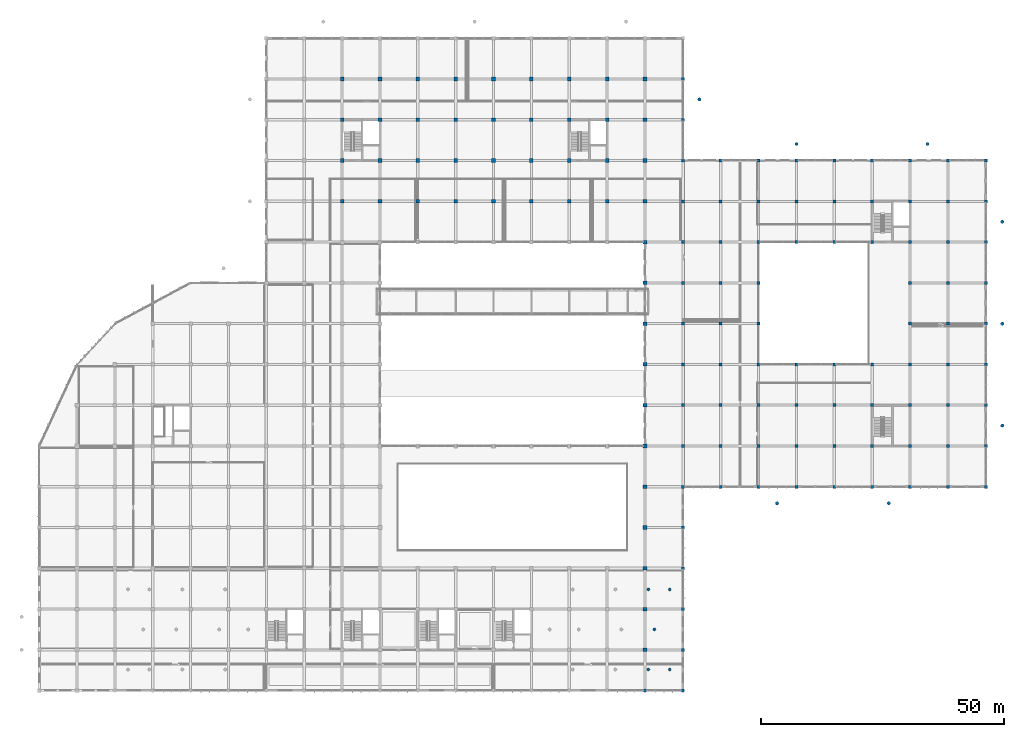
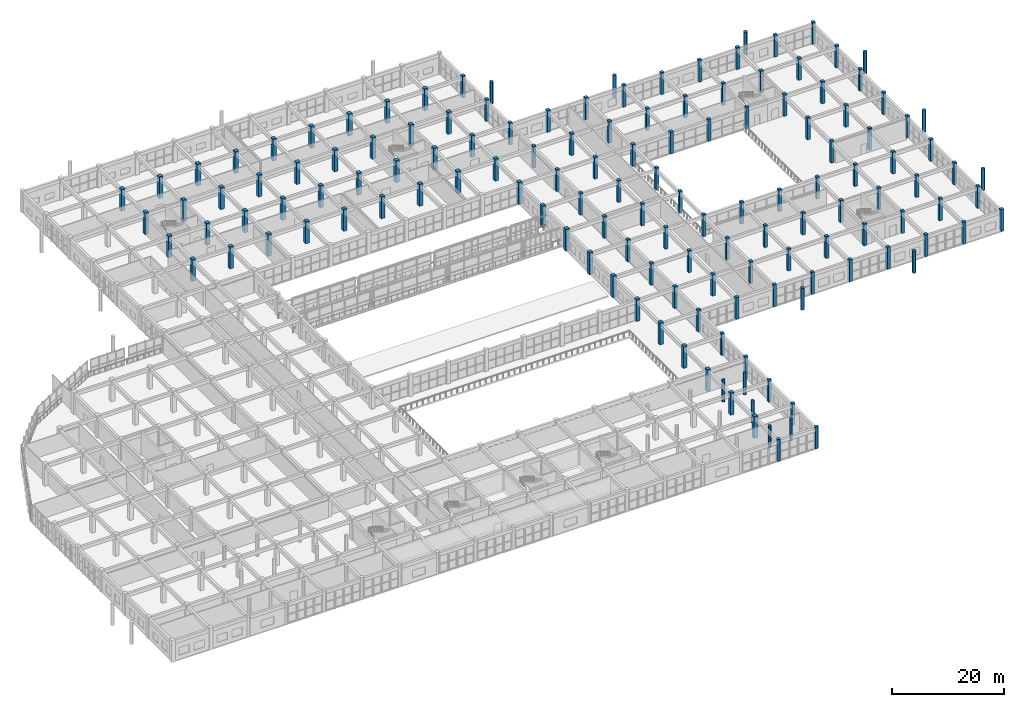
# One storey, part 4 of 167: 143 columns.
"""IFC4 building model written with IfcOpenShell, lengths in metres."""

from ifc_helpers import new_model, si_unit, direction, frame, origin, origin_2d, place, context, subcontext, project, spatial, rectangle, circle, extrude, material, material_profile, profile_set, type_object, element, save


model = new_model("IFC4")

# Units and contexts
model_context = context("Model", 3, precision=1e-05, world=origin(), true_north=direction((0.0, 1.0)))
body_context = subcontext(model_context, "Body", "Model", "MODEL_VIEW")
ifc_project = project(units=[si_unit("LENGTHUNIT", "METRE"), si_unit("AREAUNIT", "SQUARE_METRE"), si_unit("VOLUMEUNIT", "CUBIC_METRE"), si_unit("PLANEANGLEUNIT", "RADIAN"), si_unit("MASSUNIT", "GRAM", prefix="KILO")], contexts=[model_context])

# Site, building, storey
site_placement = place(None, origin())
site = spatial("IfcSite", under=ifc_project, at=site_placement, CompositionType="ELEMENT")
building_placement = place(site_placement, origin())
building = spatial("IfcBuilding", under=site, at=building_placement, Name="Zizhar Promenade General Hospital", CompositionType="ELEMENT")
storey_placement = place(building_placement, frame((0.0, 0.0, 9.60009765625)))
storey = spatial("IfcBuildingStorey", under=building, at=storey_placement, Name="L02", CompositionType="ELEMENT", Elevation=9.60009765625)

# Columns
ifc_material_1 = material(Name="Concrete C40/50", Category="concrete")
ifc_material_profile_1 = material_profile(ifc_material_1, circle(Radius=0.300048828125, at=origin_2d()))
ifc_profile_set_1 = profile_set([ifc_material_profile_1], Name="Concrete C40/50")
column_type_1 = type_object("IfcColumnType", Name="COL-CIRC-600", PredefinedType="PILASTER", material=ifc_profile_set_1)
for number, where, z_axis, x_axis, name in (
    (1, (129.89990234375, 4.35009765625, 0.0), (0.0, 0.0, 1.0), (1.0, 0.0, 0.0), "Ward Terrace Interior Support Column L06-E0 (L02)"),
    (2, (129.89990234375, 20.85009765625, 0.0), (0.0, 0.0, 1.0), (1.0, 0.0, 0.0), "Ward Terrace Interior Support Column L06-E1 (L02)"),
    (3, (126.75, 12.60009765625, 0.0), (0.0, 0.0, 1.0), (1.0, 0.0, 0.0), "Ward Terrace Interior Support Column L06-E2 (L02)"),
    (4, (125.5, 4.35009765625, 0.0), (0.0, 0.0, 1.0), (1.0, 0.0, 0.0), "Ward Terrace Interior Support Column L07-E0 (L02)"),
    (5, (125.5, 20.85009765625, 0.0), (0.0, 0.0, 1.0), (1.0, 0.0, 0.0), "Ward Terrace Interior Support Column L07-E1 (L02)"),
):
    element("IfcColumn", number, at=place(storey_placement, frame(where, z_axis=z_axis, x_axis=x_axis)), inside=storey, type_object=column_type_1, Name=name, PredefinedType="PILASTER", context=body_context, shape_type="SweptSolid", body=[
        extrude(circle(Radius=0.300048828125, at=origin_2d()), origin(), (0.0, 0.0, 1.0), 4.7998046875),
    ])
ifc_material_2 = material(Name="Concrete C40/50", Category="concrete")
ifc_material_profile_2 = material_profile(ifc_material_2, circle(Radius=0.35009765625, at=origin_2d()))
ifc_profile_set_2 = profile_set([ifc_material_profile_2], Name="Concrete C40/50")
column_type_2 = type_object("IfcColumnType", Name="COL-CIRC-700", PredefinedType="PILASTER", material=ifc_profile_set_2)
for number, where, z_axis, x_axis, name in (
    (6, (124.800048828125, 0.0, 0.0), (0.0, 0.0, 1.0), (1.0, 0.0, 0.0), "Column 17-A (L02)"),
    (7, (132.60009765625, 0.0, 0.0), (0.0, 0.0, 1.0), (1.0, 0.0, 0.0), "Column 18-A (L02)"),
    (8, (136.0, 121.800048828125, 0.0), (0.0, 0.0, 1.0), (1.0, 0.0, 0.0), "Base Roof Colonnade Column 09 (L02)"),
    (9, (156.0, 112.60009765625, 0.0), (0.0, 0.0, 1.0), (1.0, 0.0, 0.0), "Base Roof Colonnade Column 10 (L02)"),
    (10, (183.0, 112.60009765625, 0.0), (0.0, 0.0, 1.0), (1.0, 0.0, 0.0), "Base Roof Colonnade Column 11 (L02)"),
    (11, (198.39990234375, 96.60009765625, 0.0), (0.0, 0.0, 1.0), (1.0, 0.0, 0.0), "Base Roof Colonnade Column 12 (L02)"),
    (12, (198.39990234375, 75.60009765625, 0.0), (0.0, 0.0, 1.0), (1.0, 0.0, 0.0), "Base Roof Colonnade Column 13 (L02)"),
    (13, (198.39990234375, 54.60009765625, 0.0), (0.0, 0.0, 1.0), (1.0, 0.0, 0.0), "Base Roof Colonnade Column 14 (L02)"),
    (14, (175.0, 38.60009765625, 0.0), (0.0, 0.0, 1.0), (1.0, 0.0, 0.0), "Base Roof Colonnade Column 15 (L02)"),
    (15, (152.0, 38.60009765625, 0.0), (0.0, 0.0, 1.0), (1.0, 0.0, 0.0), "Base Roof Colonnade Column 16 (L02)"),
):
    element("IfcColumn", number, at=place(storey_placement, frame(where, z_axis=z_axis, x_axis=x_axis)), inside=storey, type_object=column_type_2, Name=name, PredefinedType="PILASTER", context=body_context, shape_type="SweptSolid", body=[
        extrude(circle(Radius=0.35009765625, at=origin_2d()), origin(), (0.0, 0.0, 1.0), 4.7998046875),
    ])
ifc_material_3 = material(Name="Concrete C40/50", Category="concrete")
ifc_material_profile_3 = material_profile(ifc_material_3, rectangle(XDim=0.6201171875, YDim=0.6201171875, at=origin_2d()))
ifc_profile_set_3 = profile_set([ifc_material_profile_3], Name="Concrete C40/50")
column_type_3 = type_object("IfcColumnType", Name="COL-RC-620", PredefinedType="COLUMN", material=ifc_profile_set_3)
for number, where, z_axis, x_axis, name in (
    (16, (132.60009765625, 8.39990234375, 0.0), (0.0, 0.0, 1.0), (1.0, 0.0, 0.0), "Column 18-B (L02)"),
    (17, (132.60009765625, 16.800048828125, 0.0), (0.0, 0.0, 1.0), (1.0, 0.0, 0.0), "Column 18-C (L02)"),
    (18, (132.60009765625, 25.199951171875, 0.0), (0.0, 0.0, 1.0), (1.0, 0.0, 0.0), "Column 18-D (L02)"),
    (19, (132.60009765625, 33.60009765625, 0.0), (0.0, 0.0, 1.0), (1.0, 0.0, 0.0), "Column 18-E (L02)"),
    (20, (132.60009765625, 42.0, 0.0), (0.0, 0.0, 1.0), (1.0, 0.0, 0.0), "Column 18-F (L02)"),
    (21, (132.60009765625, 50.39990234375, 0.0), (0.0, 0.0, 1.0), (1.0, 0.0, 0.0), "Column 18-G (L02)"),
    (22, (132.60009765625, 58.800048828125, 0.0), (0.0, 0.0, 1.0), (1.0, 0.0, 0.0), "Column 18-H (L02)"),
    (23, (132.60009765625, 67.199951171875, 0.0), (0.0, 0.0, 1.0), (1.0, 0.0, 0.0), "Column 18-J (L02)"),
    (24, (132.60009765625, 75.60009765625, 0.0), (0.0, 0.0, 1.0), (1.0, 0.0, 0.0), "Column 18-K (L02)"),
    (25, (132.60009765625, 84.0, 0.0), (0.0, 0.0, 1.0), (1.0, 0.0, 0.0), "Column 18-L (L02)"),
    (26, (132.60009765625, 92.39990234375, 0.0), (0.0, 0.0, 1.0), (1.0, 0.0, 0.0), "Column 18-M (L02)"),
    (27, (132.60009765625, 100.800048828125, 0.0), (0.0, 0.0, 1.0), (1.0, 0.0, 0.0), "Column 18-N (L02)"),
    (28, (132.60009765625, 109.199951171875, 0.0), (0.0, 0.0, 1.0), (1.0, 0.0, 0.0), "Column 18-P (L02)"),
    (29, (132.60009765625, 117.60009765625, 0.0), (0.0, 0.0, 1.0), (1.0, 0.0, 0.0), "Column 18-Q (L02)"),
    (30, (132.60009765625, 126.0, 0.0), (0.0, 0.0, 1.0), (1.0, 0.0, 0.0), "Column 18-R (L02)"),
    (31, (140.39990234375, 42.0, 0.0), (0.0, 0.0, 1.0), (1.0, 0.0, 0.0), "Column 19-F (L02)"),
    (32, (140.39990234375, 50.39990234375, 0.0), (0.0, 0.0, 1.0), (1.0, 0.0, 0.0), "Column 19-G (L02)"),
    (33, (140.39990234375, 58.800048828125, 0.0), (0.0, 0.0, 1.0), (1.0, 0.0, 0.0), "Column 19-H (L02)"),
    (34, (140.39990234375, 67.199951171875, 0.0), (0.0, 0.0, 1.0), (1.0, 0.0, 0.0), "Column 19-J (L02)"),
    (35, (140.39990234375, 75.60009765625, 0.0), (0.0, 0.0, 1.0), (1.0, 0.0, 0.0), "Column 19-K (L02)"),
    (36, (140.39990234375, 84.0, 0.0), (0.0, 0.0, 1.0), (1.0, 0.0, 0.0), "Column 19-L (L02)"),
    (37, (140.39990234375, 92.39990234375, 0.0), (0.0, 0.0, 1.0), (1.0, 0.0, 0.0), "Column 19-M (L02)"),
    (38, (140.39990234375, 100.800048828125, 0.0), (0.0, 0.0, 1.0), (1.0, 0.0, 0.0), "Column 19-N (L02)"),
    (39, (140.39990234375, 109.199951171875, 0.0), (0.0, 0.0, 1.0), (1.0, 0.0, 0.0), "Column 19-P (L02)"),
    (40, (148.199951171875, 42.0, 0.0), (0.0, 0.0, 1.0), (1.0, 0.0, 0.0), "Column 20-F (L02)"),
    (41, (148.199951171875, 50.39990234375, 0.0), (0.0, 0.0, 1.0), (1.0, 0.0, 0.0), "Column 20-G (L02)"),
    (42, (148.199951171875, 58.800048828125, 0.0), (0.0, 0.0, 1.0), (1.0, 0.0, 0.0), "Column 20-H (L02)"),
    (43, (148.199951171875, 67.199951171875, 0.0), (0.0, 0.0, 1.0), (1.0, 0.0, 0.0), "Column 20-J (L02)"),
    (44, (148.199951171875, 75.60009765625, 0.0), (0.0, 0.0, 1.0), (1.0, 0.0, 0.0), "Column 20-K (L02)"),
    (45, (148.199951171875, 84.0, 0.0), (0.0, 0.0, 1.0), (1.0, 0.0, 0.0), "Column 20-L (L02)"),
    (46, (148.199951171875, 92.39990234375, 0.0), (0.0, 0.0, 1.0), (1.0, 0.0, 0.0), "Column 20-M (L02)"),
    (47, (148.199951171875, 100.800048828125, 0.0), (0.0, 0.0, 1.0), (1.0, 0.0, 0.0), "Column 20-N (L02)"),
    (48, (148.199951171875, 109.199951171875, 0.0), (0.0, 0.0, 1.0), (1.0, 0.0, 0.0), "Column 20-P (L02)"),
    (49, (156.0, 42.0, 0.0), (0.0, 0.0, 1.0), (1.0, 0.0, 0.0), "Column 21-F (L02)"),
    (50, (156.0, 50.39990234375, 0.0), (0.0, 0.0, 1.0), (1.0, 0.0, 0.0), "Column 21-G (L02)"),
    (51, (156.0, 58.800048828125, 0.0), (0.0, 0.0, 1.0), (1.0, 0.0, 0.0), "Column 21-H (L02)"),
    (52, (156.0, 67.199951171875, 0.0), (0.0, 0.0, 1.0), (1.0, 0.0, 0.0), "Column 21-J (L02)"),
    (53, (156.0, 92.39990234375, 0.0), (0.0, 0.0, 1.0), (1.0, 0.0, 0.0), "Column 21-M (L02)"),
    (54, (156.0, 100.800048828125, 0.0), (0.0, 0.0, 1.0), (1.0, 0.0, 0.0), "Column 21-N (L02)"),
    (55, (156.0, 109.199951171875, 0.0), (0.0, 0.0, 1.0), (1.0, 0.0, 0.0), "Column 21-P (L02)"),
    (56, (163.800048828125, 42.0, 0.0), (0.0, 0.0, 1.0), (1.0, 0.0, 0.0), "Column 22-F (L02)"),
    (57, (163.800048828125, 50.39990234375, 0.0), (0.0, 0.0, 1.0), (1.0, 0.0, 0.0), "Column 22-G (L02)"),
    (58, (163.800048828125, 58.800048828125, 0.0), (0.0, 0.0, 1.0), (1.0, 0.0, 0.0), "Column 22-H (L02)"),
    (59, (163.800048828125, 67.199951171875, 0.0), (0.0, 0.0, 1.0), (1.0, 0.0, 0.0), "Column 22-J (L02)"),
    (60, (163.800048828125, 92.39990234375, 0.0), (0.0, 0.0, 1.0), (1.0, 0.0, 0.0), "Column 22-M (L02)"),
    (61, (163.800048828125, 100.800048828125, 0.0), (0.0, 0.0, 1.0), (1.0, 0.0, 0.0), "Column 22-N (L02)"),
    (62, (163.800048828125, 109.199951171875, 0.0), (0.0, 0.0, 1.0), (1.0, 0.0, 0.0), "Column 22-P (L02)"),
    (63, (171.60009765625, 42.0, 0.0), (0.0, 0.0, 1.0), (1.0, 0.0, 0.0), "Column 23-F (L02)"),
    (64, (171.60009765625, 50.39990234375, 0.0), (0.0, 0.0, 1.0), (1.0, 0.0, 0.0), "Column 23-G (L02)"),
    (65, (171.60009765625, 58.800048828125, 0.0), (0.0, 0.0, 1.0), (1.0, 0.0, 0.0), "Column 23-H (L02)"),
    (66, (171.60009765625, 67.199951171875, 0.0), (0.0, 0.0, 1.0), (1.0, 0.0, 0.0), "Column 23-J (L02)"),
    (67, (171.60009765625, 92.39990234375, 0.0), (0.0, 0.0, 1.0), (1.0, 0.0, 0.0), "Column 23-M (L02)"),
    (68, (171.60009765625, 100.800048828125, 0.0), (0.0, 0.0, 1.0), (1.0, 0.0, 0.0), "Column 23-N (L02)"),
    (69, (171.60009765625, 109.199951171875, 0.0), (0.0, 0.0, 1.0), (1.0, 0.0, 0.0), "Column 23-P (L02)"),
    (70, (179.39990234375, 42.0, 0.0), (0.0, 0.0, 1.0), (1.0, 0.0, 0.0), "Column 24-F (L02)"),
    (71, (179.39990234375, 50.39990234375, 0.0), (0.0, 0.0, 1.0), (1.0, 0.0, 0.0), "Column 24-G (L02)"),
    (72, (179.39990234375, 58.800048828125, 0.0), (0.0, 0.0, 1.0), (1.0, 0.0, 0.0), "Column 24-H (L02)"),
    (73, (179.39990234375, 67.199951171875, 0.0), (0.0, 0.0, 1.0), (1.0, 0.0, 0.0), "Column 24-J (L02)"),
    (74, (179.39990234375, 75.60009765625, 0.0), (0.0, 0.0, 1.0), (1.0, 0.0, 0.0), "Column 24-K (L02)"),
    (75, (179.39990234375, 84.0, 0.0), (0.0, 0.0, 1.0), (1.0, 0.0, 0.0), "Column 24-L (L02)"),
    (76, (179.39990234375, 92.39990234375, 0.0), (0.0, 0.0, 1.0), (1.0, 0.0, 0.0), "Column 24-M (L02)"),
    (77, (179.39990234375, 100.800048828125, 0.0), (0.0, 0.0, 1.0), (1.0, 0.0, 0.0), "Column 24-N (L02)"),
    (78, (179.39990234375, 109.199951171875, 0.0), (0.0, 0.0, 1.0), (1.0, 0.0, 0.0), "Column 24-P (L02)"),
    (79, (187.199951171875, 42.0, 0.0), (0.0, 0.0, 1.0), (1.0, 0.0, 0.0), "Column 25-F (L02)"),
    (80, (187.199951171875, 50.39990234375, 0.0), (0.0, 0.0, 1.0), (1.0, 0.0, 0.0), "Column 25-G (L02)"),
    (81, (187.199951171875, 58.800048828125, 0.0), (0.0, 0.0, 1.0), (1.0, 0.0, 0.0), "Column 25-H (L02)"),
    (82, (187.199951171875, 67.199951171875, 0.0), (0.0, 0.0, 1.0), (1.0, 0.0, 0.0), "Column 25-J (L02)"),
    (83, (187.199951171875, 75.60009765625, 0.0), (0.0, 0.0, 1.0), (1.0, 0.0, 0.0), "Column 25-K (L02)"),
    (84, (187.199951171875, 84.0, 0.0), (0.0, 0.0, 1.0), (1.0, 0.0, 0.0), "Column 25-L (L02)"),
    (85, (187.199951171875, 92.39990234375, 0.0), (0.0, 0.0, 1.0), (1.0, 0.0, 0.0), "Column 25-M (L02)"),
    (86, (187.199951171875, 100.800048828125, 0.0), (0.0, 0.0, 1.0), (1.0, 0.0, 0.0), "Column 25-N (L02)"),
    (87, (187.199951171875, 109.199951171875, 0.0), (0.0, 0.0, 1.0), (1.0, 0.0, 0.0), "Column 25-P (L02)"),
    (88, (195.0, 42.0, 0.0), (0.0, 0.0, 1.0), (1.0, 0.0, 0.0), "Column 26-F (L02)"),
    (89, (195.0, 50.39990234375, 0.0), (0.0, 0.0, 1.0), (1.0, 0.0, 0.0), "Column 26-G (L02)"),
    (90, (195.0, 58.800048828125, 0.0), (0.0, 0.0, 1.0), (1.0, 0.0, 0.0), "Column 26-H (L02)"),
    (91, (195.0, 67.199951171875, 0.0), (0.0, 0.0, 1.0), (1.0, 0.0, 0.0), "Column 26-J (L02)"),
    (92, (195.0, 75.60009765625, 0.0), (0.0, 0.0, 1.0), (1.0, 0.0, 0.0), "Column 26-K (L02)"),
    (93, (195.0, 84.0, 0.0), (0.0, 0.0, 1.0), (1.0, 0.0, 0.0), "Column 26-L (L02)"),
    (94, (195.0, 92.39990234375, 0.0), (0.0, 0.0, 1.0), (1.0, 0.0, 0.0), "Column 26-M (L02)"),
    (95, (195.0, 100.800048828125, 0.0), (0.0, 0.0, 1.0), (1.0, 0.0, 0.0), "Column 26-N (L02)"),
    (96, (195.0, 109.199951171875, 0.0), (0.0, 0.0, 1.0), (1.0, 0.0, 0.0), "Column 26-P (L02)"),
):
    element("IfcColumn", number, at=place(storey_placement, frame(where, z_axis=z_axis, x_axis=x_axis)), inside=storey, type_object=column_type_3, Name=name, PredefinedType="COLUMN", context=body_context, shape_type="SweptSolid", body=[
        extrude(rectangle(XDim=0.6201171875, YDim=0.6201171875, at=origin_2d()), origin(), (0.0, 0.0, 1.0), 4.7998046875),
    ])
ifc_material_4 = material(Name="Concrete C40/50", Category="concrete")
ifc_material_profile_4 = material_profile(ifc_material_4, rectangle(XDim=0.75, YDim=0.75, at=origin_2d()))
ifc_profile_set_4 = profile_set([ifc_material_profile_4], Name="Concrete C40/50")
column_type_4 = type_object("IfcColumnType", Name="COL-RC-750", PredefinedType="COLUMN", material=ifc_profile_set_4)
for number, where, z_axis, x_axis, name in (
    (97, (62.39990234375, 100.800048828125, 0.0), (0.0, 0.0, 1.0), (1.0, 0.0, 0.0), "Column 9-N (L02)"),
    (98, (62.39990234375, 109.199951171875, 0.0), (0.0, 0.0, 1.0), (1.0, 0.0, 0.0), "Column 9-P (L02)"),
    (99, (62.39990234375, 117.60009765625, 0.0), (0.0, 0.0, 1.0), (1.0, 0.0, 0.0), "Column 9-Q (L02)"),
    (100, (62.39990234375, 126.0, 0.0), (0.0, 0.0, 1.0), (1.0, 0.0, 0.0), "Column 9-R (L02)"),
    (101, (70.199951171875, 100.800048828125, 0.0), (0.0, 0.0, 1.0), (1.0, 0.0, 0.0), "Column 10-N (L02)"),
    (102, (70.199951171875, 109.199951171875, 0.0), (0.0, 0.0, 1.0), (1.0, 0.0, 0.0), "Column 10-P (L02)"),
    (103, (70.199951171875, 117.60009765625, 0.0), (0.0, 0.0, 1.0), (1.0, 0.0, 0.0), "Column 10-Q (L02)"),
    (104, (70.199951171875, 126.0, 0.0), (0.0, 0.0, 1.0), (1.0, 0.0, 0.0), "Column 10-R (L02)"),
    (105, (78.0, 100.800048828125, 0.0), (0.0, 0.0, 1.0), (1.0, 0.0, 0.0), "Column 11-N (L02)"),
    (106, (78.0, 109.199951171875, 0.0), (0.0, 0.0, 1.0), (1.0, 0.0, 0.0), "Column 11-P (L02)"),
    (107, (78.0, 117.60009765625, 0.0), (0.0, 0.0, 1.0), (1.0, 0.0, 0.0), "Column 11-Q (L02)"),
    (108, (78.0, 126.0, 0.0), (0.0, 0.0, 1.0), (1.0, 0.0, 0.0), "Column 11-R (L02)"),
    (109, (85.800048828125, 100.800048828125, 0.0), (0.0, 0.0, 1.0), (1.0, 0.0, 0.0), "Column 12-N (L02)"),
    (110, (85.800048828125, 109.199951171875, 0.0), (0.0, 0.0, 1.0), (1.0, 0.0, 0.0), "Column 12-P (L02)"),
    (111, (85.800048828125, 117.60009765625, 0.0), (0.0, 0.0, 1.0), (1.0, 0.0, 0.0), "Column 12-Q (L02)"),
    (112, (85.800048828125, 126.0, 0.0), (0.0, 0.0, 1.0), (1.0, 0.0, 0.0), "Column 12-R (L02)"),
    (113, (93.60009765625, 100.800048828125, 0.0), (0.0, 0.0, 1.0), (1.0, 0.0, 0.0), "Column 13-N (L02)"),
    (114, (93.60009765625, 109.199951171875, 0.0), (0.0, 0.0, 1.0), (1.0, 0.0, 0.0), "Column 13-P (L02)"),
    (115, (93.60009765625, 117.60009765625, 0.0), (0.0, 0.0, 1.0), (1.0, 0.0, 0.0), "Column 13-Q (L02)"),
    (116, (93.60009765625, 126.0, 0.0), (0.0, 0.0, 1.0), (1.0, 0.0, 0.0), "Column 13-R (L02)"),
    (117, (101.39990234375, 100.800048828125, 0.0), (0.0, 0.0, 1.0), (1.0, 0.0, 0.0), "Column 14-N (L02)"),
    (118, (101.39990234375, 109.199951171875, 0.0), (0.0, 0.0, 1.0), (1.0, 0.0, 0.0), "Column 14-P (L02)"),
    (119, (101.39990234375, 117.60009765625, 0.0), (0.0, 0.0, 1.0), (1.0, 0.0, 0.0), "Column 14-Q (L02)"),
    (120, (101.39990234375, 126.0, 0.0), (0.0, 0.0, 1.0), (1.0, 0.0, 0.0), "Column 14-R (L02)"),
    (121, (109.199951171875, 100.800048828125, 0.0), (0.0, 0.0, 1.0), (1.0, 0.0, 0.0), "Column 15-N (L02)"),
    (122, (109.199951171875, 109.199951171875, 0.0), (0.0, 0.0, 1.0), (1.0, 0.0, 0.0), "Column 15-P (L02)"),
    (123, (109.199951171875, 117.60009765625, 0.0), (0.0, 0.0, 1.0), (1.0, 0.0, 0.0), "Column 15-Q (L02)"),
    (124, (109.199951171875, 126.0, 0.0), (0.0, 0.0, 1.0), (1.0, 0.0, 0.0), "Column 15-R (L02)"),
    (125, (117.0, 100.800048828125, 0.0), (0.0, 0.0, 1.0), (1.0, 0.0, 0.0), "Column 16-N (L02)"),
    (126, (117.0, 109.199951171875, 0.0), (0.0, 0.0, 1.0), (1.0, 0.0, 0.0), "Column 16-P (L02)"),
    (127, (117.0, 117.60009765625, 0.0), (0.0, 0.0, 1.0), (1.0, 0.0, 0.0), "Column 16-Q (L02)"),
    (128, (117.0, 126.0, 0.0), (0.0, 0.0, 1.0), (1.0, 0.0, 0.0), "Column 16-R (L02)"),
    (129, (124.800048828125, 8.39990234375, 0.0), (0.0, 0.0, 1.0), (1.0, 0.0, 0.0), "Column 17-B (L02)"),
    (130, (124.800048828125, 16.800048828125, 0.0), (0.0, 0.0, 1.0), (1.0, 0.0, 0.0), "Column 17-C (L02)"),
    (131, (124.800048828125, 25.199951171875, 0.0), (0.0, 0.0, 1.0), (1.0, 0.0, 0.0), "Column 17-D (L02)"),
    (132, (124.800048828125, 33.60009765625, 0.0), (0.0, 0.0, 1.0), (1.0, 0.0, 0.0), "Column 17-E (L02)"),
    (133, (124.800048828125, 42.0, 0.0), (0.0, 0.0, 1.0), (1.0, 0.0, 0.0), "Column 17-F (L02)"),
    (134, (124.800048828125, 50.39990234375, 0.0), (0.0, 0.0, 1.0), (1.0, 0.0, 0.0), "Column 17-G (L02)"),
    (135, (124.800048828125, 58.800048828125, 0.0), (0.0, 0.0, 1.0), (1.0, 0.0, 0.0), "Column 17-H (L02)"),
    (136, (124.800048828125, 67.199951171875, 0.0), (0.0, 0.0, 1.0), (1.0, 0.0, 0.0), "Column 17-J (L02)"),
    (137, (124.800048828125, 75.60009765625, 0.0), (0.0, 0.0, 1.0), (1.0, 0.0, 0.0), "Column 17-K (L02)"),
    (138, (124.800048828125, 84.0, 0.0), (0.0, 0.0, 1.0), (1.0, 0.0, 0.0), "Column 17-L (L02)"),
    (139, (124.800048828125, 92.39990234375, 0.0), (0.0, 0.0, 1.0), (1.0, 0.0, 0.0), "Column 17-M (L02)"),
    (140, (124.800048828125, 100.800048828125, 0.0), (0.0, 0.0, 1.0), (1.0, 0.0, 0.0), "Column 17-N (L02)"),
    (141, (124.800048828125, 109.199951171875, 0.0), (0.0, 0.0, 1.0), (1.0, 0.0, 0.0), "Column 17-P (L02)"),
    (142, (124.800048828125, 117.60009765625, 0.0), (0.0, 0.0, 1.0), (1.0, 0.0, 0.0), "Column 17-Q (L02)"),
    (143, (124.800048828125, 126.0, 0.0), (0.0, 0.0, 1.0), (1.0, 0.0, 0.0), "Column 17-R (L02)"),
):
    element("IfcColumn", number, at=place(storey_placement, frame(where, z_axis=z_axis, x_axis=x_axis)), inside=storey, type_object=column_type_4, Name=name, PredefinedType="COLUMN", context=body_context, shape_type="SweptSolid", body=[
        extrude(rectangle(XDim=0.75, YDim=0.75, at=origin_2d()), origin(), (0.0, 0.0, 1.0), 4.7998046875),
    ])

save(model, "model.ifc")
